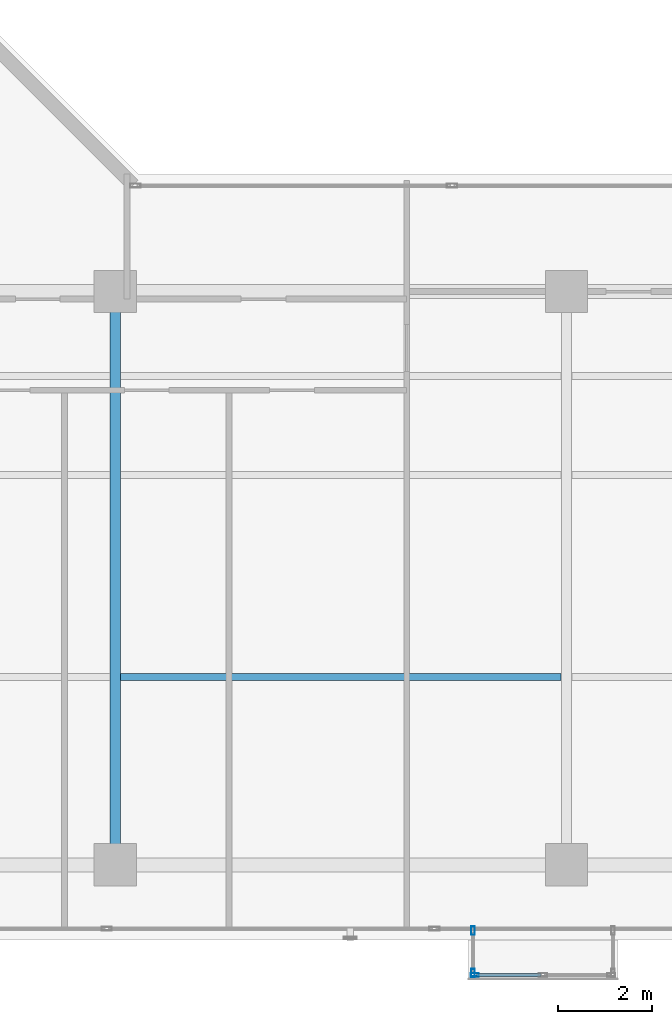
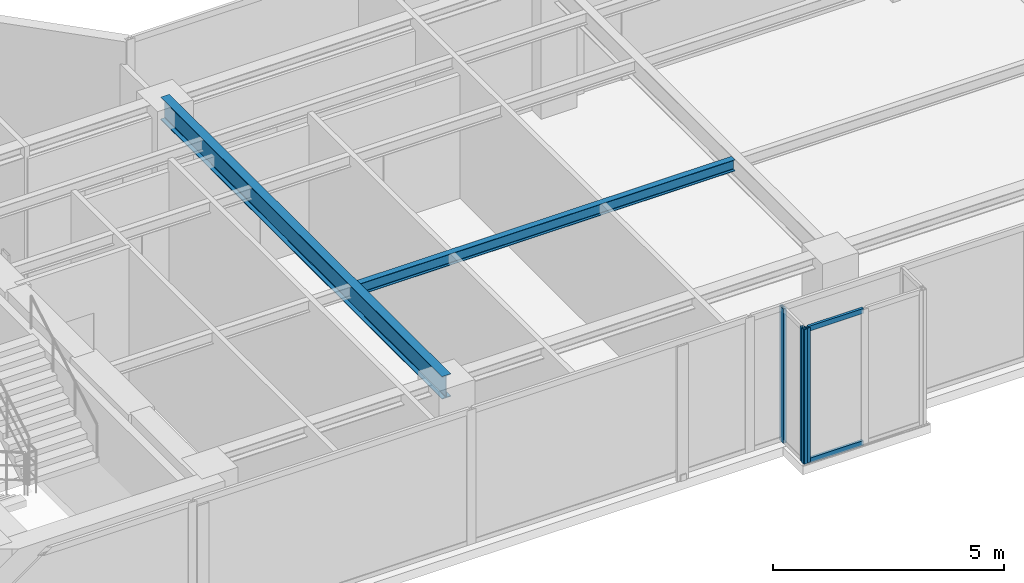
# One storey, part 5 of 24: 5 members, 2 beams, 2 elements without a shape of their own.
"""IFC4 building model written with IfcOpenShell, lengths in metres."""

from ifc_helpers import new_model, si_unit, direction, frame, origin, origin_with_axes, origin_2d, place, context, subcontext, project, spatial, hollow_rectangle, i_section, extrude, source, transform, mapped, material, layer, layer_set, material_profile, profile_set, type_object, element, aggregate, save


model = new_model("IFC4")

# Units and contexts
model_context = context("Model", 3, precision=1e-05, world=origin(), true_north=direction((0.0, 1.0)))
body_context = subcontext(model_context, "Body", "Model", "MODEL_VIEW")
ifc_project = project(units=[si_unit("LENGTHUNIT", "METRE"), si_unit("AREAUNIT", "SQUARE_METRE"), si_unit("VOLUMEUNIT", "CUBIC_METRE"), si_unit("PLANEANGLEUNIT", "RADIAN"), si_unit("MASSUNIT", "GRAM", prefix="KILO")], contexts=[model_context])

# Site, building, storey
site_placement = place(None, origin())
site = spatial("IfcSite", under=ifc_project, at=site_placement, CompositionType="ELEMENT")
building_placement = place(site_placement, origin())
building = spatial("IfcBuilding", under=site, at=building_placement, Name="Kolvaren Waterfront Exchange", CompositionType="ELEMENT")
storey_placement = place(building_placement, frame((0.0, 0.0, 300.800048828125)))
storey = spatial("IfcBuildingStorey", under=building, at=storey_placement, Name="L77", CompositionType="ELEMENT", Elevation=300.800048828125)

# Beams
ifc_material_1 = material(Name="Steel S355", Category="steel")
ifc_material_profile_1 = material_profile(ifc_material_1, i_section(OverallWidth=0.14990234375, OverallDepth=0.300048828125, WebThickness=0.007080078125, FlangeThickness=0.0107421875, FilletRadius=0.014892578125, at=origin_2d()), Name="IPE300")
ifc_profile_set_1 = profile_set([ifc_material_profile_1], Name="Steel S355")
beam_type_1 = type_object("IfcBeamType", Name="STR-BM-IPE300", PredefinedType="JOIST", material=ifc_profile_set_1)
beam_1_placement = place(storey_placement, frame((27.31201171875, 9.199951171875, 3.409912109375), z_axis=(1.0, 0.0, 0.0), x_axis=(0.0, 1.0, 0.0)))
element("IfcBeam", 1, at=beam_1_placement, inside=storey, type_object=beam_type_1, Name="L77 east-arm composite joist 2B", PredefinedType="JOIST", context=body_context, shape_type="SweptSolid", body=[
    extrude(i_section(OverallWidth=0.14990234375, OverallDepth=0.300048828125, WebThickness=0.007080078125, FlangeThickness=0.0107421875, FilletRadius=0.014892578125, at=origin_2d()), origin(), (0.0, 0.0, 1.0), 9.3759765625),
])
ifc_material_profile_2 = material_profile(ifc_material_1, i_section(OverallWidth=0.219970703125, OverallDepth=0.60009765625, WebThickness=0.011962890625, FlangeThickness=0.01904296875, FilletRadius=0.02392578125, at=origin_2d()), Name="IPE600")
ifc_profile_set_2 = profile_set([ifc_material_profile_2], Name="Steel S355")
beam_type_2 = type_object("IfcBeamType", Name="STR-BM-IPE600", PredefinedType="BEAM", material=ifc_profile_set_2)
beam_2_placement = place(storey_placement, frame((27.199951171875, 5.199951171875, 3.260009765625), z_axis=(0.0, 1.0, 0.0), x_axis=(-1.0, 0.0, 0.0)))
element("IfcBeam", 2, at=beam_2_placement, inside=storey, type_object=beam_type_2, Name="L77 east-arm transverse girder X27", PredefinedType="BEAM", context=body_context, shape_type="SweptSolid", body=[
    extrude(i_section(OverallWidth=0.219970703125, OverallDepth=0.60009765625, WebThickness=0.011962890625, FlangeThickness=0.01904296875, FilletRadius=0.02392578125, at=origin_2d()), origin(), (0.0, 0.0, 1.0), 12.199951171875),
])

# Curtain wall, members
ifc_material_2 = material(Name="Anodised bronze aluminium 6063-T6", Category="aluminium")
ifc_layer = layer(ifc_material_2, 0.219970703125, Name="Anodised bronze aluminium 6063-T6")
ifc_layer_set = layer_set([ifc_layer], Name="Anodised bronze aluminium 6063-T6")
curtain_wall_type = type_object("IfcCurtainWallType", Name="ARC-CW-SYS3", PredefinedType="USERDEFINED", material=ifc_layer_set)
curtain_wall_1_placement = place(storey_placement, origin())
curtain_wall_1 = element("IfcCurtainWall", 3, at=curtain_wall_1_placement, inside=storey, type_object=curtain_wall_type, Name="L77 stick curtain wall CW3 (CW-L77-BOX)", ObjectType="STICK CURTAIN WALL", PredefinedType="USERDEFINED")
ifc_material_profile_3 = material_profile(ifc_material_2, hollow_rectangle(XDim=0.06494140625, YDim=0.1298828125, WallThickness=0.00390625, at=origin_2d()), Name="ALU-TRN-130x65x4")
ifc_profile_set_3 = profile_set([ifc_material_profile_3], Name="Anodised bronze aluminium 6063-T6")
member_type_1 = type_object("IfcMemberType", Name="ARC-CWT-130", PredefinedType="USERDEFINED", material=ifc_profile_set_3)
shared_shape_1 = source(origin_with_axes(), body_context, "Body", "SweptSolid", [
    extrude(hollow_rectangle(XDim=0.06494140625, YDim=0.1298828125, WallThickness=0.00390625, at=origin_2d()), origin(), (0.0, 0.0, 1.0), 1.37744140625),
])
member_1_placement = place(storey_placement, frame((34.885009765625, 2.860107421875, 0.032470703125), z_axis=(1.0, 0.0, 0.0), x_axis=(0.0, 1.0, 0.0)))
member_1 = element("IfcMember", 4, at=member_1_placement, type_object=member_type_1, Name="CW3 transom 1.1", ObjectType="TRANSOM", PredefinedType="USERDEFINED", context=body_context, shape_type="MappedRepresentation", body=[
    mapped(shared_shape_1, transform((0.0, 0.0, 0.0), x_axis=(1.0, 0.0, 0.0), y_axis=(0.0, 1.0, 0.0), z_axis=(0.0, 0.0, 1.0), scale=1.0)),
])
member_2_placement = place(storey_placement, frame((34.885009765625, 2.860107421875, 3.52734375), z_axis=(1.0, 0.0, 0.0), x_axis=(0.0, 1.0, 0.0)))
member_2 = element("IfcMember", 5, at=member_2_placement, type_object=member_type_1, Name="CW3 transom 1.2", ObjectType="TRANSOM", PredefinedType="USERDEFINED", context=body_context, shape_type="MappedRepresentation", body=[
    mapped(shared_shape_1, transform((0.0, 0.0, 0.0), x_axis=(1.0, 0.0, 0.0), y_axis=(0.0, 1.0, 0.0), z_axis=(0.0, 0.0, 1.0), scale=1.0)),
])

curtain_wall_2_placement = place(storey_placement, origin())
curtain_wall_2 = element("IfcCurtainWall", 6, at=curtain_wall_2_placement, inside=storey, type_object=curtain_wall_type, Name="L77 stick curtain wall CW3 (CW-L77-BOX-W)", ObjectType="STICK CURTAIN WALL", PredefinedType="USERDEFINED")
ifc_material_profile_4 = material_profile(ifc_material_2, hollow_rectangle(XDim=0.074951171875, YDim=0.179931640625, WallThickness=0.00439453125, at=origin_2d()), Name="ALU-MUL-180x75x4.5")
ifc_profile_set_4 = profile_set([ifc_material_profile_4], Name="Anodised bronze aluminium 6063-T6")
member_type_2 = type_object("IfcMemberType", Name="ARC-CWM-180", PredefinedType="MULLION", material=ifc_profile_set_4)
shared_shape_2 = source(origin_with_axes(), body_context, "Body", "SweptSolid", [
    extrude(hollow_rectangle(XDim=0.074951171875, YDim=0.179931640625, WallThickness=0.00439453125, at=origin_2d()), origin(), (0.0, 0.0, 1.0), 3.56005859375),
])
member_3_placement = place(storey_placement, frame((34.81005859375, 3.802490234375, 0.0), z_axis=(0.0, 0.0, 1.0), x_axis=(1.0, 0.0, 0.0)))
member_3 = element("IfcMember", 7, at=member_3_placement, type_object=member_type_2, Name="CW3 mullion 1", PredefinedType="MULLION", context=body_context, shape_type="MappedRepresentation", body=[
    mapped(shared_shape_2, transform((0.0, 0.0, 0.0), x_axis=(1.0, 0.0, 0.0), y_axis=(0.0, 1.0, 0.0), z_axis=(0.0, 0.0, 1.0), scale=1.0)),
])
member_4_placement = place(storey_placement, frame((34.81005859375, 2.8974609375, 0.0), z_axis=(0.0, 0.0, 1.0), x_axis=(1.0, 0.0, 0.0)))
member_4 = element("IfcMember", 8, at=member_4_placement, type_object=member_type_2, Name="CW3 mullion 2", PredefinedType="MULLION", context=body_context, shape_type="MappedRepresentation", body=[
    mapped(shared_shape_2, transform((0.0, 0.0, 0.0), x_axis=(1.0, 0.0, 0.0), y_axis=(0.0, 1.0, 0.0), z_axis=(0.0, 0.0, 1.0), scale=1.0)),
])
aggregate(curtain_wall_2, [member_3, member_4])

# Member
member_5_placement = place(storey_placement, frame((34.847412109375, 2.860107421875, 0.0), z_axis=(0.0, 0.0, 1.0), x_axis=(0.0, 1.0, 0.0)))
member_5 = element("IfcMember", 9, at=member_5_placement, type_object=member_type_2, Name="CW3 mullion 1", PredefinedType="MULLION", context=body_context, shape_type="MappedRepresentation", body=[
    mapped(shared_shape_2, transform((0.0, 0.0, 0.0), x_axis=(1.0, 0.0, 0.0), y_axis=(0.0, 1.0, 0.0), z_axis=(0.0, 0.0, 1.0), scale=1.0)),
])

aggregate(curtain_wall_1, [member_5, member_1, member_2])

save(model, "model.ifc")
